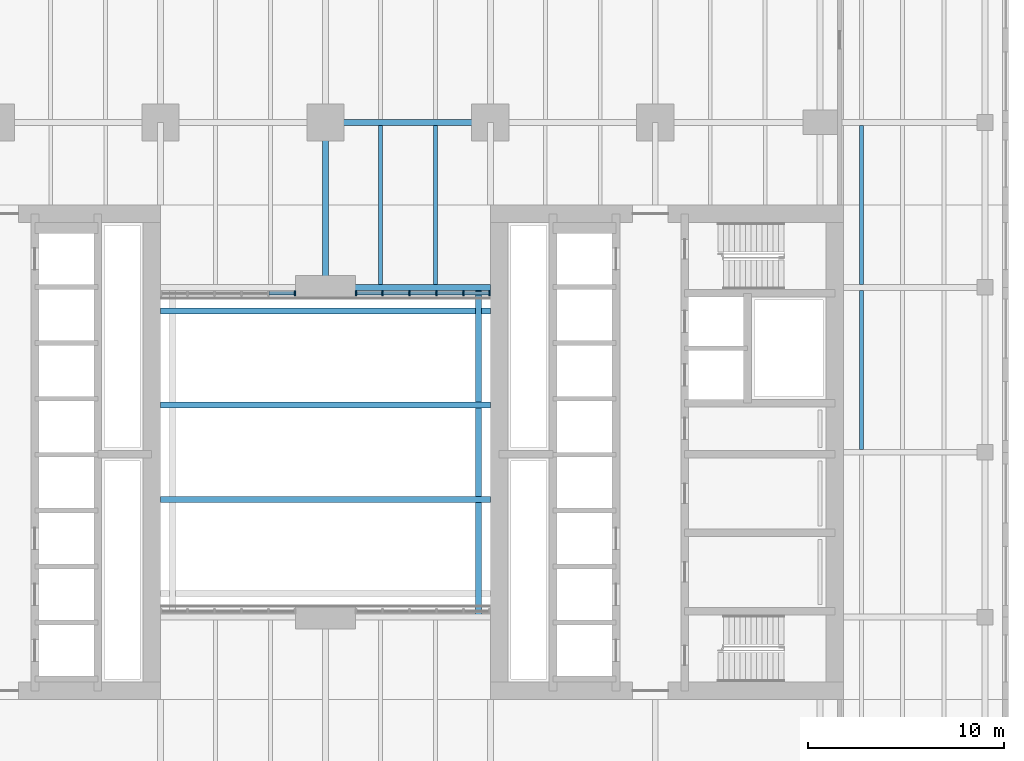
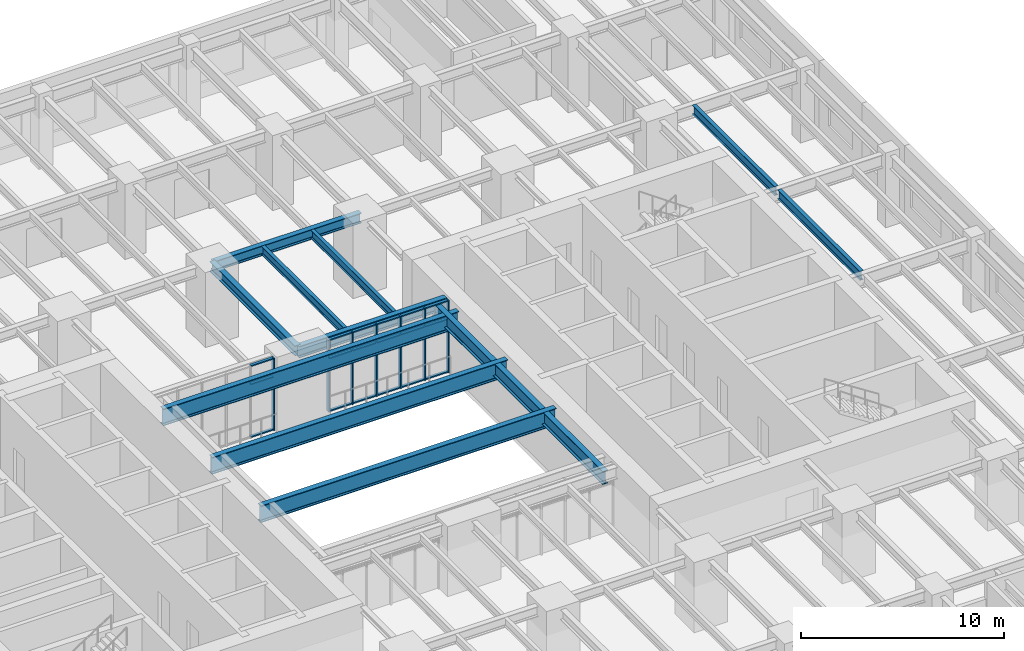
# One storey, part 5 of 22: 25 members, 11 beams, 2 elements without a shape of their own.
"""IFC4 building model written with IfcOpenShell, lengths in metres."""

from ifc_helpers import new_model, si_unit, direction, frame, origin, origin_2d, place, context, subcontext, project, spatial, rectangle, i_section, extrude, material, material_profile, profile_set, type_object, element, aggregate, save


model = new_model("IFC4")

# Units and contexts
model_context = context("Model", 3, precision=1e-05, world=origin(), true_north=direction((0.0, 1.0)))
body_context = subcontext(model_context, "Body", "Model", "MODEL_VIEW")
ifc_project = project(units=[si_unit("LENGTHUNIT", "METRE"), si_unit("AREAUNIT", "SQUARE_METRE"), si_unit("VOLUMEUNIT", "CUBIC_METRE"), si_unit("PLANEANGLEUNIT", "RADIAN"), si_unit("MASSUNIT", "GRAM", prefix="KILO")], contexts=[model_context])

# Site, building, storey
site_placement = place(None, origin())
site = spatial("IfcSite", under=ifc_project, at=site_placement, CompositionType="ELEMENT")
building_placement = place(site_placement, origin())
building = spatial("IfcBuilding", under=site, at=building_placement, Name="Claustro Exchange Tower", CompositionType="ELEMENT")
storey_placement = place(building_placement, frame((0.0, 0.0, 14.39990234375)))
storey = spatial("IfcBuildingStorey", under=building, at=storey_placement, Name="L03", CompositionType="ELEMENT", Elevation=14.39990234375)

# Beams
ifc_material_1 = material(Name="Steel S355", Category="steel")
ifc_material_profile_1 = material_profile(ifc_material_1, i_section(OverallWidth=0.300048828125, OverallDepth=0.60009765625, WebThickness=0.015380859375, FlangeThickness=0.030029296875, FilletRadius=0.027099609375, at=origin_2d()), Name="HE 600 B")
ifc_profile_set_1 = profile_set([ifc_material_profile_1], Name="Steel S355")
beam_type_1 = type_object("IfcBeamType", Name="B1 HE 600 B floor girder", PredefinedType="BEAM", material=ifc_profile_set_1)
beam_1_placement = place(storey_placement, frame((25.199951171875, 33.60009765625, 4.0400390625), z_axis=(0.0, 1.0, 0.0), x_axis=(-1.0, 0.0, 0.0)))
element("IfcBeam", 1, at=beam_1_placement, inside=storey, type_object=beam_type_1, Name="Beam B1 L04", PredefinedType="BEAM", context=body_context, shape_type="SweptSolid", body=[
    extrude(i_section(OverallWidth=0.300048828125, OverallDepth=0.60009765625, WebThickness=0.015380859375, FlangeThickness=0.030029296875, FilletRadius=0.027099609375, at=origin_2d()), origin(), (0.0, 0.0, 1.0), 8.39990234375),
])
beam_2_placement = place(storey_placement, frame((25.199951171875, 42.0, 4.0400390625), z_axis=(1.0, 0.0, 0.0), x_axis=(0.0, 1.0, 0.0)))
element("IfcBeam", 2, at=beam_2_placement, inside=storey, type_object=beam_type_1, Name="Beam B1 L04", PredefinedType="BEAM", context=body_context, shape_type="SweptSolid", body=[
    extrude(i_section(OverallWidth=0.300048828125, OverallDepth=0.60009765625, WebThickness=0.015380859375, FlangeThickness=0.030029296875, FilletRadius=0.027099609375, at=origin_2d()), origin(), (0.0, 0.0, 1.0), 8.400146484375),
])
ifc_material_2 = material(Name="Steel S355", Category="steel")
ifc_material_profile_2 = material_profile(ifc_material_2, i_section(OverallWidth=0.300048828125, OverallDepth=0.68994140625, WebThickness=0.014404296875, FlangeThickness=0.027099609375, FilletRadius=0.027099609375, at=origin_2d()), Name="HE 700 A")
ifc_profile_set_2 = profile_set([ifc_material_profile_2], Name="Steel S355")
beam_type_2 = type_object("IfcBeamType", Name="B13 HE 700 A light well edge girder", PredefinedType="BEAM", material=ifc_profile_set_2)
beam_3_placement = place(storey_placement, frame((25.199951171875, 33.60009765625, 3.9951171875), z_axis=(1.0, 0.0, 0.0), x_axis=(0.0, 1.0, 0.0)))
element("IfcBeam", 3, at=beam_3_placement, inside=storey, type_object=beam_type_2, Name="Beam B13 L04", PredefinedType="BEAM", context=body_context, shape_type="SweptSolid", body=[
    extrude(i_section(OverallWidth=0.300048828125, OverallDepth=0.68994140625, WebThickness=0.014404296875, FlangeThickness=0.027099609375, FilletRadius=0.027099609375, at=origin_2d()), origin(), (0.0, 0.0, 1.0), 8.400146484375),
])
ifc_material_3 = material(Name="Steel S355", Category="steel")
ifc_material_profile_3 = material_profile(ifc_material_3, i_section(OverallWidth=0.300048828125, OverallDepth=0.800048828125, WebThickness=0.017578125, FlangeThickness=0.032958984375, FilletRadius=0.030029296875, at=origin_2d()), Name="HE 800 B")
ifc_profile_set_3 = profile_set([ifc_material_profile_3], Name="Steel S355")
beam_type_3 = type_object("IfcBeamType", Name="B18 HE 800 B floor girder", PredefinedType="BEAM", material=ifc_profile_set_3)
beam_4_placement = place(storey_placement, frame((33.0, 16.800048828125, 3.85009765625), z_axis=(0.0, 1.0, 0.0), x_axis=(-1.0, 0.0, 0.0)))
element("IfcBeam", 4, at=beam_4_placement, inside=storey, type_object=beam_type_3, Name="Beam B18 L04", PredefinedType="BEAM", context=body_context, shape_type="SweptSolid", body=[
    extrude(i_section(OverallWidth=0.300048828125, OverallDepth=0.800048828125, WebThickness=0.017578125, FlangeThickness=0.032958984375, FilletRadius=0.030029296875, at=origin_2d()), origin(), (0.0, 0.0, 1.0), 16.800048828125),
])
ifc_material_4 = material(Name="Steel S355", Category="steel")
ifc_material_profile_4 = material_profile(ifc_material_4, i_section(OverallWidth=0.2099609375, OverallDepth=0.550048828125, WebThickness=0.010986328125, FlangeThickness=0.01708984375, FilletRadius=0.02392578125, at=origin_2d()), Name="IPE 550")
ifc_profile_set_4 = profile_set([ifc_material_profile_4], Name="Steel S355")
beam_type_4 = type_object("IfcBeamType", Name="B19 IPE 550 secondary beam", PredefinedType="BEAM", material=ifc_profile_set_4)
beam_5_placement = place(storey_placement, frame((52.5, 25.35009765625, 3.97509765625), z_axis=(0.0, 1.0, 0.0), x_axis=(-1.0, 0.0, 0.0)))
element("IfcBeam", 5, at=beam_5_placement, inside=storey, type_object=beam_type_4, Name="Beam B19 L04", PredefinedType="BEAM", context=body_context, shape_type="SweptSolid", body=[
    extrude(i_section(OverallWidth=0.2099609375, OverallDepth=0.550048828125, WebThickness=0.010986328125, FlangeThickness=0.01708984375, FilletRadius=0.02392578125, at=origin_2d()), origin(), (0.0, 0.0, 1.0), 8.099853515625),
])
beam_6_placement = place(storey_placement, frame((52.5, 33.75, 3.97509765625), z_axis=(0.0, 1.0, 0.0), x_axis=(-1.0, 0.0, 0.0)))
element("IfcBeam", 6, at=beam_6_placement, inside=storey, type_object=beam_type_4, Name="Beam B19 L04", PredefinedType="BEAM", context=body_context, shape_type="SweptSolid", body=[
    extrude(i_section(OverallWidth=0.2099609375, OverallDepth=0.550048828125, WebThickness=0.010986328125, FlangeThickness=0.01708984375, FilletRadius=0.02392578125, at=origin_2d()), origin(), (0.0, 0.0, 1.0), 8.10009765625),
])
ifc_material_5 = material(Name="Steel S355", Category="steel")
ifc_material_profile_5 = material_profile(ifc_material_5, i_section(OverallWidth=0.199951171875, OverallDepth=0.5, WebThickness=0.01025390625, FlangeThickness=0.01611328125, FilletRadius=0.02099609375, at=origin_2d()), Name="IPE 500")
ifc_profile_set_5 = profile_set([ifc_material_profile_5], Name="Steel S355")
beam_type_5 = type_object("IfcBeamType", Name="B2 IPE 500 secondary beam", PredefinedType="BEAM", material=ifc_profile_set_5)
for number, where, z_axis, x_axis, name in (
    (7, (28.0, 33.75, 4.090087890625), (0.0, 1.0, 0.0), (-1.0, 0.0, 0.0), "Beam B2 L04"),
    (8, (30.800048828125, 33.75, 4.090087890625), (0.0, 1.0, 0.0), (-1.0, 0.0, 0.0), "Beam B2 L04"),
):
    element("IfcBeam", number, at=place(storey_placement, frame(where, z_axis=z_axis, x_axis=x_axis)), inside=storey, type_object=beam_type_5, Name=name, PredefinedType="BEAM", context=body_context, shape_type="SweptSolid", body=[
        extrude(i_section(OverallWidth=0.199951171875, OverallDepth=0.5, WebThickness=0.01025390625, FlangeThickness=0.01611328125, FilletRadius=0.02099609375, at=origin_2d()), origin(), (0.0, 0.0, 1.0), 8.10009765625),
    ])
ifc_material_6 = material(Name="Steel S355", Category="steel")
ifc_material_profile_6 = material_profile(ifc_material_6, i_section(OverallWidth=0.302001953125, OverallDepth=1.008056640625, WebThickness=0.02099609375, FlangeThickness=0.0400390625, FilletRadius=0.030029296875, at=origin_2d()), Name="HE 1000 M")
ifc_profile_set_6 = profile_set([ifc_material_profile_6], Name="Steel S355")
beam_type_6 = type_object("IfcBeamType", Name="B20 HE 1000 M atrium roof girder", PredefinedType="BEAM", material=ifc_profile_set_6)
for number, where, z_axis, x_axis, name in (
    (9, (16.800048828125, 22.800048828125, 3.74609375), (1.0, 0.0, 0.0), (0.0, 1.0, 0.0), "Atrium roof girder B20 2"),
    (10, (16.800048828125, 27.60009765625, 3.74609375), (1.0, 0.0, 0.0), (0.0, 1.0, 0.0), "Atrium roof girder B20 3"),
    (11, (16.800048828125, 32.39990234375, 3.74609375), (1.0, 0.0, 0.0), (0.0, 1.0, 0.0), "Atrium roof girder B20 4"),
):
    element("IfcBeam", number, at=place(storey_placement, frame(where, z_axis=z_axis, x_axis=x_axis)), inside=storey, type_object=beam_type_6, Name=name, PredefinedType="BEAM", context=body_context, shape_type="SweptSolid", body=[
        extrude(i_section(OverallWidth=0.302001953125, OverallDepth=1.008056640625, WebThickness=0.02099609375, FlangeThickness=0.0400390625, FilletRadius=0.030029296875, at=origin_2d()), origin(), (0.0, 0.0, 1.0), 16.800048828125),
    ])

# Curtain wall, member
ifc_material_7 = material(Name="Aluminium frame, clear double glazing", Category="aluminium")
curtain_wall_type = type_object("IfcCurtainWallType", Name="CW6 sky lobby and conference curtain wall", PredefinedType="USERDEFINED", material=ifc_material_7)
curtain_wall_1_placement = place(storey_placement, origin())
curtain_wall_1 = element("IfcCurtainWall", 12, at=curtain_wall_1_placement, inside=storey, type_object=curtain_wall_type, Name="Curtain wall CW6 L03", ObjectType="STICK CURTAIN WALL", PredefinedType="USERDEFINED")
ifc_material_8 = material(Name="Aluminium mullion", Category="aluminium")
ifc_material_profile_7 = material_profile(ifc_material_8, rectangle(XDim=0.25, YDim=0.070068359375, at=origin_2d()), Name="CW6-M 70x250")
ifc_profile_set_7 = profile_set([ifc_material_profile_7], Name="Aluminium mullion")
member_type_1 = type_object("IfcMemberType", Name="CW6-M 70 x 250 mullion", PredefinedType="MULLION", material=ifc_profile_set_7)
member_1_placement = place(storey_placement, frame((23.639892578125, 33.300048828125, 0.0), z_axis=(0.0, 0.0, 1.0), x_axis=(0.0, 1.0, 0.0)))
member_1 = element("IfcMember", 13, at=member_1_placement, type_object=member_type_1, Name="CW6 mullion 6", PredefinedType="MULLION", context=body_context, shape_type="SweptSolid", body=[
    extrude(rectangle(XDim=0.25, YDim=0.070068359375, at=origin_2d()), origin(), (0.0, 0.0, 1.0), 4.340087890625),
])

# Curtain wall, members
curtain_wall_2_placement = place(storey_placement, origin())
curtain_wall_2 = element("IfcCurtainWall", 14, at=curtain_wall_2_placement, inside=storey, type_object=curtain_wall_type, Name="Curtain wall CW6 L03", ObjectType="STICK CURTAIN WALL", PredefinedType="USERDEFINED")
member_2_placement = place(storey_placement, frame((26.760009765625, 33.300048828125, 0.0), z_axis=(0.0, 0.0, 1.0), x_axis=(0.0, 1.0, 0.0)))
member_2 = element("IfcMember", 15, at=member_2_placement, type_object=member_type_1, Name="CW6 mullion 1", PredefinedType="MULLION", context=body_context, shape_type="SweptSolid", body=[
    extrude(rectangle(XDim=0.25, YDim=0.070068359375, at=origin_2d()), origin(), (0.0, 0.0, 1.0), 4.340087890625),
])
member_3_placement = place(storey_placement, frame((28.10009765625, 33.300048828125, 0.0), z_axis=(0.0, 0.0, 1.0), x_axis=(0.0, 1.0, 0.0)))
member_3 = element("IfcMember", 16, at=member_3_placement, type_object=member_type_1, Name="CW6 mullion 2", PredefinedType="MULLION", context=body_context, shape_type="SweptSolid", body=[
    extrude(rectangle(XDim=0.25, YDim=0.070068359375, at=origin_2d()), origin(), (0.0, 0.0, 1.0), 4.340087890625),
])
member_4_placement = place(storey_placement, frame((29.47509765625, 33.300048828125, 0.0), z_axis=(0.0, 0.0, 1.0), x_axis=(0.0, 1.0, 0.0)))
member_4 = element("IfcMember", 17, at=member_4_placement, type_object=member_type_1, Name="CW6 mullion 3", PredefinedType="MULLION", context=body_context, shape_type="SweptSolid", body=[
    extrude(rectangle(XDim=0.25, YDim=0.070068359375, at=origin_2d()), origin(), (0.0, 0.0, 1.0), 4.340087890625),
])
member_5_placement = place(storey_placement, frame((30.85009765625, 33.300048828125, 0.0), z_axis=(0.0, 0.0, 1.0), x_axis=(0.0, 1.0, 0.0)))
member_5 = element("IfcMember", 18, at=member_5_placement, type_object=member_type_1, Name="CW6 mullion 4", PredefinedType="MULLION", context=body_context, shape_type="SweptSolid", body=[
    extrude(rectangle(XDim=0.25, YDim=0.070068359375, at=origin_2d()), origin(), (0.0, 0.0, 1.0), 4.340087890625),
])
member_6_placement = place(storey_placement, frame((32.22509765625, 33.300048828125, 0.0), z_axis=(0.0, 0.0, 1.0), x_axis=(0.0, 1.0, 0.0)))
member_6 = element("IfcMember", 19, at=member_6_placement, type_object=member_type_1, Name="CW6 mullion 5", PredefinedType="MULLION", context=body_context, shape_type="SweptSolid", body=[
    extrude(rectangle(XDim=0.25, YDim=0.070068359375, at=origin_2d()), origin(), (0.0, 0.0, 1.0), 4.340087890625),
])
member_7_placement = place(storey_placement, frame((33.56494140625, 33.300048828125, 0.0), z_axis=(0.0, 0.0, 1.0), x_axis=(0.0, 1.0, 0.0)))
member_7 = element("IfcMember", 20, at=member_7_placement, type_object=member_type_1, Name="CW6 mullion 6", PredefinedType="MULLION", context=body_context, shape_type="SweptSolid", body=[
    extrude(rectangle(XDim=0.25, YDim=0.070068359375, at=origin_2d()), origin(), (0.0, 0.0, 1.0), 4.340087890625),
])

# Member
ifc_material_9 = material(Name="Aluminium transom", Category="aluminium")
ifc_material_profile_8 = material_profile(ifc_material_9, rectangle(XDim=0.159912109375, YDim=0.070068359375, at=origin_2d()), Name="CW6-T 70x160")
ifc_profile_set_8 = profile_set([ifc_material_profile_8], Name="Aluminium transom")
member_type_2 = type_object("IfcMemberType", Name="CW6-T 70 x 160 transom", PredefinedType="USERDEFINED", material=ifc_profile_set_8)
member_8_placement = place(storey_placement, frame((22.3349609375, 33.300048828125, 0.03515625), z_axis=(1.0, 0.0, 0.0), x_axis=(0.0, 1.0, 0.0)))
member_8 = element("IfcMember", 21, at=member_8_placement, type_object=member_type_2, Name="CW6 transom 5.1", ObjectType="TRANSOM", PredefinedType="USERDEFINED", context=body_context, shape_type="SweptSolid", body=[
    extrude(rectangle(XDim=0.159912109375, YDim=0.070068359375, at=origin_2d()), origin(), (0.0, 0.0, 1.0), 1.27001953125),
])

member_9_placement = place(storey_placement, frame((22.3349609375, 33.300048828125, 3.2001953125), z_axis=(1.0, 0.0, 0.0), x_axis=(0.0, 1.0, 0.0)))
member_9 = element("IfcMember", 22, at=member_9_placement, type_object=member_type_2, Name="CW6 transom 5.2", ObjectType="TRANSOM", PredefinedType="USERDEFINED", context=body_context, shape_type="SweptSolid", body=[
    extrude(rectangle(XDim=0.159912109375, YDim=0.070068359375, at=origin_2d()), origin(), (0.0, 0.0, 1.0), 1.27001953125),
])

member_10_placement = place(storey_placement, frame((22.3349609375, 33.300048828125, 4.30517578125), z_axis=(1.0, 0.0, 0.0), x_axis=(0.0, 1.0, 0.0)))
member_10 = element("IfcMember", 23, at=member_10_placement, type_object=member_type_2, Name="CW6 transom 5.3", ObjectType="TRANSOM", PredefinedType="USERDEFINED", context=body_context, shape_type="SweptSolid", body=[
    extrude(rectangle(XDim=0.159912109375, YDim=0.070068359375, at=origin_2d()), origin(), (0.0, 0.0, 1.0), 1.27001953125),
])

aggregate(curtain_wall_1, [member_1, member_8, member_9, member_10])

member_11_placement = place(storey_placement, frame((26.794921875, 33.300048828125, 0.03515625), z_axis=(1.0, 0.0, 0.0), x_axis=(0.0, 1.0, 0.0)))
member_11 = element("IfcMember", 24, at=member_11_placement, type_object=member_type_2, Name="CW6 transom 1.1", ObjectType="TRANSOM", PredefinedType="USERDEFINED", context=body_context, shape_type="SweptSolid", body=[
    extrude(rectangle(XDim=0.159912109375, YDim=0.070068359375, at=origin_2d()), origin(), (0.0, 0.0, 1.0), 1.27001953125),
])

member_12_placement = place(storey_placement, frame((26.794921875, 33.300048828125, 3.2001953125), z_axis=(1.0, 0.0, 0.0), x_axis=(0.0, 1.0, 0.0)))
member_12 = element("IfcMember", 25, at=member_12_placement, type_object=member_type_2, Name="CW6 transom 1.2", ObjectType="TRANSOM", PredefinedType="USERDEFINED", context=body_context, shape_type="SweptSolid", body=[
    extrude(rectangle(XDim=0.159912109375, YDim=0.070068359375, at=origin_2d()), origin(), (0.0, 0.0, 1.0), 1.27001953125),
])

member_13_placement = place(storey_placement, frame((26.794921875, 33.300048828125, 4.30517578125), z_axis=(1.0, 0.0, 0.0), x_axis=(0.0, 1.0, 0.0)))
member_13 = element("IfcMember", 26, at=member_13_placement, type_object=member_type_2, Name="CW6 transom 1.3", ObjectType="TRANSOM", PredefinedType="USERDEFINED", context=body_context, shape_type="SweptSolid", body=[
    extrude(rectangle(XDim=0.159912109375, YDim=0.070068359375, at=origin_2d()), origin(), (0.0, 0.0, 1.0), 1.27001953125),
])

member_14_placement = place(storey_placement, frame((28.135009765625, 33.300048828125, 0.03515625), z_axis=(1.0, 0.0, 0.0), x_axis=(0.0, 1.0, 0.0)))
member_14 = element("IfcMember", 27, at=member_14_placement, type_object=member_type_2, Name="CW6 transom 2.1", ObjectType="TRANSOM", PredefinedType="USERDEFINED", context=body_context, shape_type="SweptSolid", body=[
    extrude(rectangle(XDim=0.159912109375, YDim=0.070068359375, at=origin_2d()), origin(), (0.0, 0.0, 1.0), 1.304931640625),
])

member_15_placement = place(storey_placement, frame((28.135009765625, 33.300048828125, 3.2001953125), z_axis=(1.0, 0.0, 0.0), x_axis=(0.0, 1.0, 0.0)))
member_15 = element("IfcMember", 28, at=member_15_placement, type_object=member_type_2, Name="CW6 transom 2.2", ObjectType="TRANSOM", PredefinedType="USERDEFINED", context=body_context, shape_type="SweptSolid", body=[
    extrude(rectangle(XDim=0.159912109375, YDim=0.070068359375, at=origin_2d()), origin(), (0.0, 0.0, 1.0), 1.304931640625),
])

member_16_placement = place(storey_placement, frame((28.135009765625, 33.300048828125, 4.30517578125), z_axis=(1.0, 0.0, 0.0), x_axis=(0.0, 1.0, 0.0)))
member_16 = element("IfcMember", 29, at=member_16_placement, type_object=member_type_2, Name="CW6 transom 2.3", ObjectType="TRANSOM", PredefinedType="USERDEFINED", context=body_context, shape_type="SweptSolid", body=[
    extrude(rectangle(XDim=0.159912109375, YDim=0.070068359375, at=origin_2d()), origin(), (0.0, 0.0, 1.0), 1.304931640625),
])

member_17_placement = place(storey_placement, frame((29.510009765625, 33.300048828125, 0.03515625), z_axis=(1.0, 0.0, 0.0), x_axis=(0.0, 1.0, 0.0)))
member_17 = element("IfcMember", 30, at=member_17_placement, type_object=member_type_2, Name="CW6 transom 3.1", ObjectType="TRANSOM", PredefinedType="USERDEFINED", context=body_context, shape_type="SweptSolid", body=[
    extrude(rectangle(XDim=0.159912109375, YDim=0.070068359375, at=origin_2d()), origin(), (0.0, 0.0, 1.0), 1.304931640625),
])

member_18_placement = place(storey_placement, frame((29.510009765625, 33.300048828125, 3.2001953125), z_axis=(1.0, 0.0, 0.0), x_axis=(0.0, 1.0, 0.0)))
member_18 = element("IfcMember", 31, at=member_18_placement, type_object=member_type_2, Name="CW6 transom 3.2", ObjectType="TRANSOM", PredefinedType="USERDEFINED", context=body_context, shape_type="SweptSolid", body=[
    extrude(rectangle(XDim=0.159912109375, YDim=0.070068359375, at=origin_2d()), origin(), (0.0, 0.0, 1.0), 1.304931640625),
])

member_19_placement = place(storey_placement, frame((29.510009765625, 33.300048828125, 4.30517578125), z_axis=(1.0, 0.0, 0.0), x_axis=(0.0, 1.0, 0.0)))
member_19 = element("IfcMember", 32, at=member_19_placement, type_object=member_type_2, Name="CW6 transom 3.3", ObjectType="TRANSOM", PredefinedType="USERDEFINED", context=body_context, shape_type="SweptSolid", body=[
    extrude(rectangle(XDim=0.159912109375, YDim=0.070068359375, at=origin_2d()), origin(), (0.0, 0.0, 1.0), 1.304931640625),
])

member_20_placement = place(storey_placement, frame((30.885009765625, 33.300048828125, 0.03515625), z_axis=(1.0, 0.0, 0.0), x_axis=(0.0, 1.0, 0.0)))
member_20 = element("IfcMember", 33, at=member_20_placement, type_object=member_type_2, Name="CW6 transom 4.1", ObjectType="TRANSOM", PredefinedType="USERDEFINED", context=body_context, shape_type="SweptSolid", body=[
    extrude(rectangle(XDim=0.159912109375, YDim=0.070068359375, at=origin_2d()), origin(), (0.0, 0.0, 1.0), 1.304931640625),
])

member_21_placement = place(storey_placement, frame((30.885009765625, 33.300048828125, 3.2001953125), z_axis=(1.0, 0.0, 0.0), x_axis=(0.0, 1.0, 0.0)))
member_21 = element("IfcMember", 34, at=member_21_placement, type_object=member_type_2, Name="CW6 transom 4.2", ObjectType="TRANSOM", PredefinedType="USERDEFINED", context=body_context, shape_type="SweptSolid", body=[
    extrude(rectangle(XDim=0.159912109375, YDim=0.070068359375, at=origin_2d()), origin(), (0.0, 0.0, 1.0), 1.304931640625),
])

member_22_placement = place(storey_placement, frame((30.885009765625, 33.300048828125, 4.30517578125), z_axis=(1.0, 0.0, 0.0), x_axis=(0.0, 1.0, 0.0)))
member_22 = element("IfcMember", 35, at=member_22_placement, type_object=member_type_2, Name="CW6 transom 4.3", ObjectType="TRANSOM", PredefinedType="USERDEFINED", context=body_context, shape_type="SweptSolid", body=[
    extrude(rectangle(XDim=0.159912109375, YDim=0.070068359375, at=origin_2d()), origin(), (0.0, 0.0, 1.0), 1.304931640625),
])

member_23_placement = place(storey_placement, frame((32.260009765625, 33.300048828125, 0.03515625), z_axis=(1.0, 0.0, 0.0), x_axis=(0.0, 1.0, 0.0)))
member_23 = element("IfcMember", 36, at=member_23_placement, type_object=member_type_2, Name="CW6 transom 5.1", ObjectType="TRANSOM", PredefinedType="USERDEFINED", context=body_context, shape_type="SweptSolid", body=[
    extrude(rectangle(XDim=0.159912109375, YDim=0.070068359375, at=origin_2d()), origin(), (0.0, 0.0, 1.0), 1.27001953125),
])

member_24_placement = place(storey_placement, frame((32.260009765625, 33.300048828125, 3.2001953125), z_axis=(1.0, 0.0, 0.0), x_axis=(0.0, 1.0, 0.0)))
member_24 = element("IfcMember", 37, at=member_24_placement, type_object=member_type_2, Name="CW6 transom 5.2", ObjectType="TRANSOM", PredefinedType="USERDEFINED", context=body_context, shape_type="SweptSolid", body=[
    extrude(rectangle(XDim=0.159912109375, YDim=0.070068359375, at=origin_2d()), origin(), (0.0, 0.0, 1.0), 1.27001953125),
])

member_25_placement = place(storey_placement, frame((32.260009765625, 33.300048828125, 4.30517578125), z_axis=(1.0, 0.0, 0.0), x_axis=(0.0, 1.0, 0.0)))
member_25 = element("IfcMember", 38, at=member_25_placement, type_object=member_type_2, Name="CW6 transom 5.3", ObjectType="TRANSOM", PredefinedType="USERDEFINED", context=body_context, shape_type="SweptSolid", body=[
    extrude(rectangle(XDim=0.159912109375, YDim=0.070068359375, at=origin_2d()), origin(), (0.0, 0.0, 1.0), 1.27001953125),
])

aggregate(curtain_wall_2, [member_2, member_3, member_4, member_5, member_6, member_7, member_11, member_12, member_13, member_14, member_15, member_16, member_17, member_18, member_19, member_20, member_21, member_22, member_23, member_24, member_25])

save(model, "model.ifc")
